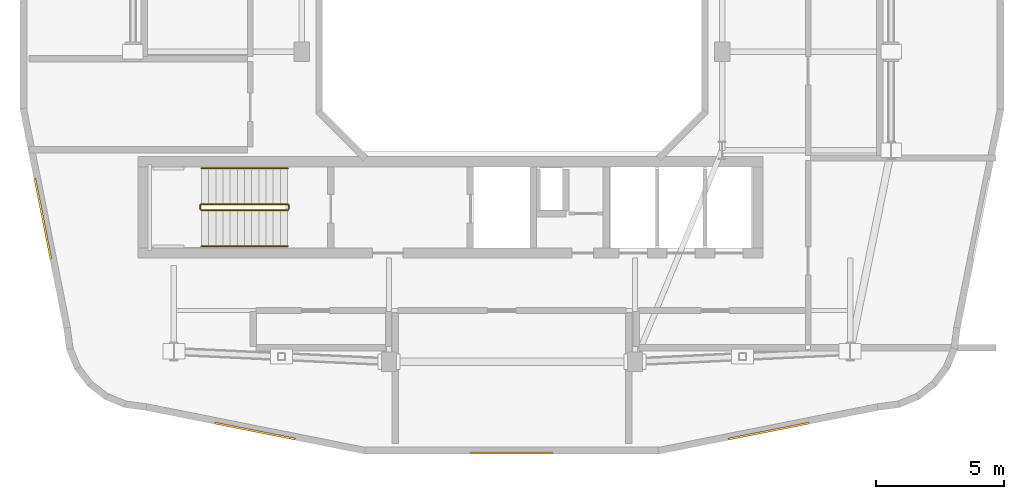
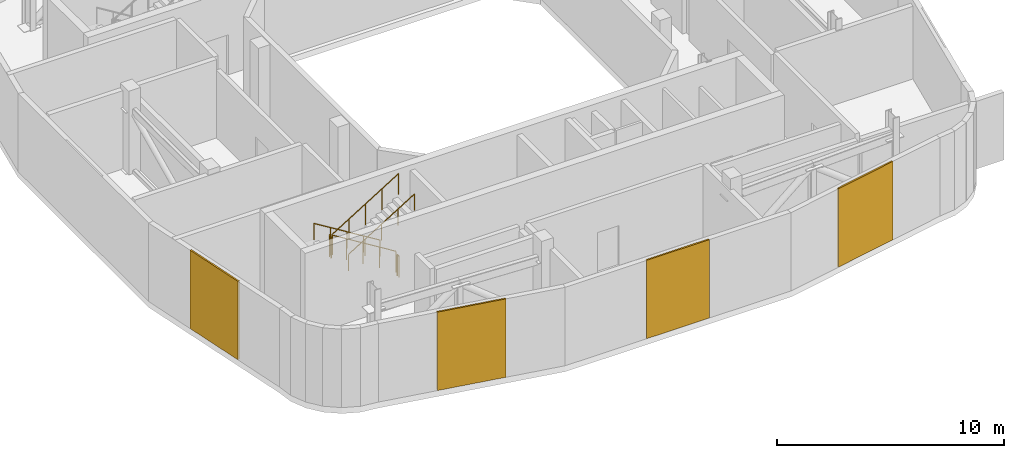
# One storey, part 7 of 9: 6 railings, 4 coverings.
"""IFC4 building model written with IfcOpenShell, lengths in metres."""

from ifc_helpers import new_model, si_unit, derived_unit, direction, frame, origin, origin_2d, place, context, subcontext, project, spatial, rectangle, circle, extrude, material, layer, layer_set, type_object, element, save


model = new_model("IFC4")

# Units and contexts
model_context = context("Model", 3, precision=1e-05, world=origin(), true_north=direction((0.0, 1.0)))
body_context = subcontext(model_context, "Body", "Model", "MODEL_VIEW")
ifc_project = project(units=[si_unit("LENGTHUNIT", "METRE"), si_unit("AREAUNIT", "SQUARE_METRE"), si_unit("VOLUMEUNIT", "CUBIC_METRE"), si_unit("PLANEANGLEUNIT", "RADIAN"), si_unit("MASSUNIT", "GRAM", prefix="KILO"), derived_unit("THERMALTRANSMITTANCEUNIT", [(si_unit("POWERUNIT", "WATT"), 1), (si_unit("LENGTHUNIT", "METRE"), -2), (si_unit("THERMODYNAMICTEMPERATUREUNIT", "KELVIN"), -1)])], contexts=[model_context])

# Site, building, storey
site_placement = place(None, origin())
site = spatial("IfcSite", under=ifc_project, at=site_placement, CompositionType="ELEMENT")
building_placement = place(site_placement, origin())
building = spatial("IfcBuilding", under=site, at=building_placement, Name="Kivonza Crest Hotel", CompositionType="ELEMENT")
storey_placement = place(building_placement, frame((0.0, 0.0, 238.699951171875)))
storey = spatial("IfcBuildingStorey", under=building, at=storey_placement, Name="L65", CompositionType="ELEMENT", Elevation=238.699951171875)

# Coverings
ifc_material_1 = material(Name="Anodised bronze aluminium acoustic louvre cladding", Category="aluminium")
ifc_layer = layer(ifc_material_1, 0.080078125)
ifc_layer_set = layer_set([ifc_layer], Name="Anodised bronze aluminium acoustic louvre cladding")
covering_type = type_object("IfcCoveringType", Name="CV-CLAD-80", PredefinedType="CLADDING", material=ifc_layer_set)
for number, where, z_axis, x_axis, name in (
    (1, (10.968994140625, 6.69091796875, 0.0), (0.0, 0.0, 1.0), (0.980751215781, -0.195261498368, 0.0), "L65 T1 terracotta baguette and louvre screen 7"),
    (2, (20.98291015625, 5.840087890625, 0.0), (0.0, 0.0, 1.0), (1.0, 0.0, 0.0), "L65 T1 terracotta baguette and louvre screen 8"),
    (3, (31.013916015625, 6.68798828125, 0.0), (0.0, 0.0, 1.0), (0.980751215781, 0.195261498368, 0.0), "L65 T1 terracotta baguette and louvre screen 9"),
    (4, (2.68798828125, 14.986083984375, 0.0), (0.0, 0.0, 1.0), (0.195261498368, -0.980751215781, 0.0), "L65 T1 terracotta baguette and louvre screen 36"),
):
    element("IfcCovering", number, at=place(storey_placement, frame(where, z_axis=z_axis, x_axis=x_axis)), inside=storey, type_object=covering_type, Name=name, PredefinedType="CLADDING", context=body_context, shape_type="SweptSolid", body=[
        extrude(rectangle(XDim=3.199951171875, YDim=0.080078125, at=origin_2d()), origin(), (0.0, 0.0, 1.0), 4.219970703125),
    ])

# Railings
ifc_material_2 = material(Name="Brushed stainless steel handrail", Category="steel")
railing_type_1 = type_object("IfcRailingType", Name="RL-HAND-900", PredefinedType="HANDRAIL", material=ifc_material_2)
railing_1_placement = place(storey_placement, frame((12.239990234375, 16.949951171875, 0.173095703125)))
element("IfcRailing", 5, at=railing_1_placement, inside=storey, type_object=railing_type_1, Name="L65 ST-T1-S stair handrail 1", PredefinedType="HANDRAIL", context=body_context, shape_type="SweptSolid", body=[
    extrude(circle(Radius=0.02392578125, at=origin_2d()), frame((0.0, 0.0, 0.8759765625), z_axis=(-0.850623216509, 0.0, 0.525775754039), x_axis=(0.0, -1.0, 0.0)), (0.0, 0.0, 1.0), 3.9501953125),
    extrude(circle(Radius=0.02099609375, at=origin_2d()), origin(), (0.0, 0.0, 1.0), 0.851806640625),
    extrude(circle(Radius=0.02099609375, at=origin_2d()), frame((-0.840087890625, 0.0, 0.519287109375)), (0.0, 0.0, 1.0), 0.851806640625),
    extrude(circle(Radius=0.02099609375, at=origin_2d()), frame((-1.68017578125, 0.0, 1.03857421875)), (0.0, 0.0, 1.0), 0.851806640625),
    extrude(circle(Radius=0.02099609375, at=origin_2d()), frame((-2.52001953125, 0.0, 1.5576171875)), (0.0, 0.0, 1.0), 0.851806640625),
    extrude(circle(Radius=0.02099609375, at=origin_2d()), frame((-3.360107421875, 0.0, 2.076904296875)), (0.0, 0.0, 1.0), 0.851806640625),
])
railing_2_placement = place(storey_placement, frame((8.8798828125, 13.909912109375, 2.423095703125)))
element("IfcRailing", 6, at=railing_2_placement, inside=storey, type_object=railing_type_1, Name="L65 ST-T1-S stair handrail 2", PredefinedType="HANDRAIL", context=body_context, shape_type="SweptSolid", body=[
    extrude(circle(Radius=0.02392578125, at=origin_2d()), frame((0.0, 0.0, 0.8759765625), z_axis=(0.850623216509, 0.0, 0.525775754039), x_axis=(0.0, 1.0, 0.0)), (0.0, 0.0, 1.0), 3.9501953125),
    extrude(circle(Radius=0.02099609375, at=origin_2d()), origin(), (0.0, 0.0, 1.0), 0.851806640625),
    extrude(circle(Radius=0.02099609375, at=origin_2d()), frame((0.840087890625, 0.0, 0.519287109375)), (0.0, 0.0, 1.0), 0.851806640625),
    extrude(circle(Radius=0.02099609375, at=origin_2d()), frame((1.68017578125, 0.0, 1.03857421875)), (0.0, 0.0, 1.0), 0.851806640625),
    extrude(circle(Radius=0.02099609375, at=origin_2d()), frame((2.52001953125, 0.0, 1.5576171875)), (0.0, 0.0, 1.0), 0.851806640625),
    extrude(circle(Radius=0.02099609375, at=origin_2d()), frame((3.360107421875, 0.0, 2.076904296875)), (0.0, 0.0, 1.0), 0.851806640625),
])
ifc_material_3 = material(Name="Painted steel balustrade", Category="steel")
railing_type_2 = type_object("IfcRailingType", Name="RL-STAIR-1150", PredefinedType="BALUSTRADE", material=ifc_material_3)
railing_3_placement = place(storey_placement, frame((12.239990234375, 15.550048828125, 0.173095703125)))
element("IfcRailing", 7, at=railing_3_placement, inside=storey, type_object=railing_type_2, Name="L65 ST-T1-S stair guard 1", PredefinedType="BALUSTRADE", context=body_context, shape_type="SweptSolid", body=[
    extrude(circle(Radius=0.02392578125, at=origin_2d()), frame((0.0, 0.0, 1.1259765625), z_axis=(-0.850623216509, 0.0, 0.525775754039), x_axis=(0.0, -1.0, 0.0)), (0.0, 0.0, 1.0), 3.9501953125),
    extrude(circle(Radius=0.02099609375, at=origin_2d()), origin(), (0.0, 0.0, 1.0), 1.101806640625),
    extrude(circle(Radius=0.02099609375, at=origin_2d()), frame((-0.840087890625, 0.0, 0.519287109375)), (0.0, 0.0, 1.0), 1.101806640625),
    extrude(circle(Radius=0.02099609375, at=origin_2d()), frame((-1.68017578125, 0.0, 1.03857421875)), (0.0, 0.0, 1.0), 1.101806640625),
    extrude(circle(Radius=0.02099609375, at=origin_2d()), frame((-2.52001953125, 0.0, 1.5576171875)), (0.0, 0.0, 1.0), 1.101806640625),
    extrude(circle(Radius=0.02099609375, at=origin_2d()), frame((-3.360107421875, 0.0, 2.076904296875)), (0.0, 0.0, 1.0), 1.101806640625),
])
railing_4_placement = place(storey_placement, frame((8.830078125, 15.5, 2.25)))
element("IfcRailing", 8, at=railing_4_placement, inside=storey, type_object=railing_type_2, Name="L65 ST-T1-S stair guard 2", PredefinedType="BALUSTRADE", context=body_context, shape_type="SweptSolid", body=[
    extrude(circle(Radius=0.02392578125, at=origin_2d()), frame((0.0, 0.0, 1.1259765625), z_axis=(0.0, -1.0, 0.0), x_axis=(1.0, 0.0, 0.0)), (0.0, 0.0, 1.0), 0.139892578125),
    extrude(circle(Radius=0.02099609375, at=origin_2d()), origin(), (0.0, 0.0, 1.0), 1.101806640625),
    extrude(circle(Radius=0.02099609375, at=origin_2d()), frame((0.0, -0.139892578125, 0.0)), (0.0, 0.0, 1.0), 1.101806640625),
])
railing_5_placement = place(storey_placement, frame((8.8798828125, 15.31005859375, 2.423095703125)))
element("IfcRailing", 9, at=railing_5_placement, inside=storey, type_object=railing_type_2, Name="L65 ST-T1-S stair guard 3", PredefinedType="BALUSTRADE", context=body_context, shape_type="SweptSolid", body=[
    extrude(circle(Radius=0.02392578125, at=origin_2d()), frame((0.0, 0.0, 1.1259765625), z_axis=(0.850623216509, 0.0, 0.525775754039), x_axis=(0.0, 1.0, 0.0)), (0.0, 0.0, 1.0), 3.9501953125),
    extrude(circle(Radius=0.02099609375, at=origin_2d()), origin(), (0.0, 0.0, 1.0), 1.101806640625),
    extrude(circle(Radius=0.02099609375, at=origin_2d()), frame((0.840087890625, 0.0, 0.519287109375)), (0.0, 0.0, 1.0), 1.101806640625),
    extrude(circle(Radius=0.02099609375, at=origin_2d()), frame((1.68017578125, 0.0, 1.03857421875)), (0.0, 0.0, 1.0), 1.101806640625),
    extrude(circle(Radius=0.02099609375, at=origin_2d()), frame((2.52001953125, 0.0, 1.5576171875)), (0.0, 0.0, 1.0), 1.101806640625),
    extrude(circle(Radius=0.02099609375, at=origin_2d()), frame((3.360107421875, 0.0, 2.076904296875)), (0.0, 0.0, 1.0), 1.101806640625),
])
railing_6_placement = place(storey_placement, frame((12.2900390625, 15.5, 0.0)))
element("IfcRailing", 10, at=railing_6_placement, inside=storey, type_object=railing_type_2, Name="L65 ST-T1-S stair guard 4", PredefinedType="BALUSTRADE", context=body_context, shape_type="SweptSolid", body=[
    extrude(circle(Radius=0.02392578125, at=origin_2d()), frame((0.0, 0.0, 1.1259765625), z_axis=(0.0, -1.0, 0.0), x_axis=(1.0, 0.0, 0.0)), (0.0, 0.0, 1.0), 0.139892578125),
    extrude(circle(Radius=0.02099609375, at=origin_2d()), origin(), (0.0, 0.0, 1.0), 1.101806640625),
    extrude(circle(Radius=0.02099609375, at=origin_2d()), frame((0.0, -0.139892578125, 0.0)), (0.0, 0.0, 1.0), 1.101806640625),
])

save(model, "model.ifc")
